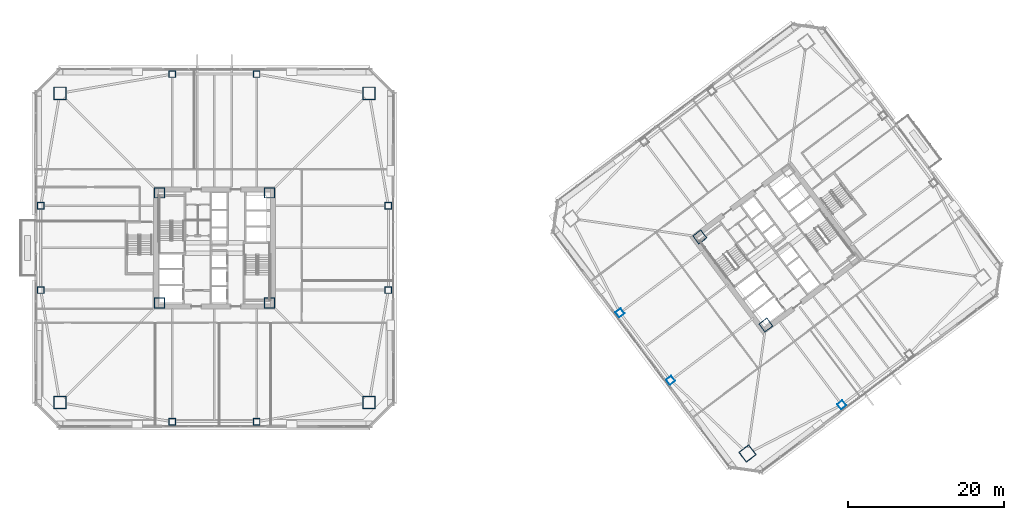
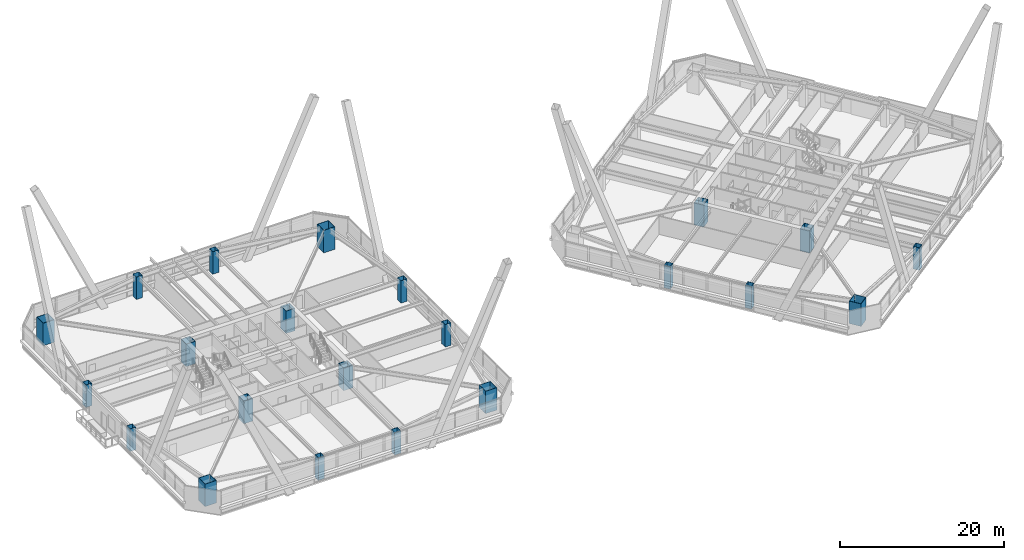
# One storey, part 1 of 75: 22 columns.
"""IFC4 building model written with IfcOpenShell, lengths in metres."""

from ifc_helpers import new_model, si_unit, direction, frame, origin, origin_2d, place, context, subcontext, project, spatial, hollow_rectangle, extrude, material, material_profile, profile_set, type_object, element, save


model = new_model("IFC4")

# Units and contexts
model_context = context("Model", 3, precision=1e-05, world=origin(), true_north=direction((0.0, 1.0)))
body_context = subcontext(model_context, "Body", "Model", "MODEL_VIEW")
ifc_project = project(units=[si_unit("LENGTHUNIT", "METRE"), si_unit("AREAUNIT", "SQUARE_METRE"), si_unit("VOLUMEUNIT", "CUBIC_METRE"), si_unit("PLANEANGLEUNIT", "RADIAN"), si_unit("MASSUNIT", "GRAM", prefix="KILO")], contexts=[model_context])

# Site, building, storey
site_placement = place(None, origin())
site = spatial("IfcSite", under=ifc_project, at=site_placement, CompositionType="ELEMENT")
building_placement = place(site_placement, origin())
building = spatial("IfcBuilding", under=site, at=building_placement, Name="Tashvorn Skyway Center", CompositionType="ELEMENT")
storey_placement = place(building_placement, frame((0.0, 0.0, 45.89990234375)))
storey = spatial("IfcBuildingStorey", under=building, at=storey_placement, Name="L11", CompositionType="ELEMENT", Elevation=45.89990234375)

# Columns
ifc_material = material(Name="Steel ASTM A572 Grade 50", Category="steel")
ifc_material_profile_1 = material_profile(ifc_material, hollow_rectangle(XDim=1.300048828125, YDim=1.300048828125, WallThickness=0.050048828125, at=origin_2d()), Name="BOX1300x1300x50")
ifc_profile_set_1 = profile_set([ifc_material_profile_1], Name="Steel ASTM A572 Grade 50")
column_type_1 = type_object("IfcColumnType", Name="COL-BOX1300x1300x50", PredefinedType="COLUMN", material=ifc_profile_set_1)
for number, where, z_axis, x_axis, name in (
    (1, (34.949951171875, 24.949951171875, 0.0), (0.0, 0.0, 1.0), (1.0, 0.0, 0.0), "Tower 1 L11 Core Corner Column CC-SW"),
    (2, (49.050048828125, 24.949951171875, 0.0), (0.0, 0.0, 1.0), (1.0, 0.0, 0.0), "Tower 1 L11 Core Corner Column CC-SE"),
    (3, (49.050048828125, 39.050048828125, 0.0), (0.0, 0.0, 1.0), (1.0, 0.0, 0.0), "Tower 1 L11 Core Corner Column CC-NE"),
    (4, (34.949951171875, 39.050048828125, 0.0), (0.0, 0.0, 1.0), (1.0, 0.0, 0.0), "Tower 1 L11 Core Corner Column CC-NW"),
    (5, (112.590087890625, 22.1298828125, 0.0), (0.0, 0.0, 1.0), (0.799999996291, 0.600000004945, 0.0), "Tower 2 L11 Core Corner Column CC-SW"),
    (6, (104.1298828125, 33.409912109375, 0.0), (0.0, 0.0, 1.0), (0.799999996291, 0.600000004945, 0.0), "Tower 2 L11 Core Corner Column CC-NW"),
):
    element("IfcColumn", number, at=place(storey_placement, frame(where, z_axis=z_axis, x_axis=x_axis)), inside=storey, type_object=column_type_1, Name=name, PredefinedType="COLUMN", context=body_context, shape_type="SweptSolid", body=[
        extrude(hollow_rectangle(XDim=1.300048828125, YDim=1.300048828125, WallThickness=0.050048828125, at=origin_2d()), origin(), (0.0, 0.0, 1.0), 3.35009765625),
    ])
ifc_material_profile_2 = material_profile(ifc_material, hollow_rectangle(XDim=1.60009765625, YDim=1.60009765625, WallThickness=0.06005859375, at=origin_2d()), Name="BOX1600x1600x60")
ifc_profile_set_2 = profile_set([ifc_material_profile_2], Name="Steel ASTM A572 Grade 50")
column_type_2 = type_object("IfcColumnType", Name="COL-BOX1600x1600x60", PredefinedType="COLUMN", material=ifc_profile_set_2)
for number, where, z_axis, x_axis, name in (
    (7, (22.199951171875, 12.199951171875, 0.0), (0.0, 0.0, 1.0), (1.0, 0.0, 0.0), "Tower 1 L11 Mega-Column MC-SW"),
    (8, (61.800048828125, 12.199951171875, 0.0), (0.0, 0.0, 1.0), (1.0, 0.0, 0.0), "Tower 1 L11 Mega-Column MC-SE"),
    (9, (61.800048828125, 51.800048828125, 0.0), (0.0, 0.0, 1.0), (1.0, 0.0, 0.0), "Tower 1 L11 Mega-Column MC-NE"),
    (10, (22.199951171875, 51.800048828125, 0.0), (0.0, 0.0, 1.0), (1.0, 0.0, 0.0), "Tower 1 L11 Mega-Column MC-NW"),
    (11, (110.239990234375, 5.679931640625, 0.0), (0.0, 0.0, 1.0), (0.799999996291, 0.600000004945, 0.0), "Tower 2 L11 Mega-Column MC-SW"),
):
    element("IfcColumn", number, at=place(storey_placement, frame(where, z_axis=z_axis, x_axis=x_axis)), inside=storey, type_object=column_type_2, Name=name, PredefinedType="COLUMN", context=body_context, shape_type="SweptSolid", body=[
        extrude(hollow_rectangle(XDim=1.60009765625, YDim=1.60009765625, WallThickness=0.06005859375, at=origin_2d()), origin(), (0.0, 0.0, 1.0), 3.35009765625),
    ])
ifc_material_profile_3 = material_profile(ifc_material, hollow_rectangle(XDim=0.85009765625, YDim=0.85009765625, WallThickness=0.034912109375, at=origin_2d()), Name="BOX850x850x35")
ifc_profile_set_3 = profile_set([ifc_material_profile_3], Name="Steel ASTM A572 Grade 50")
column_type_3 = type_object("IfcColumnType", Name="COL-BOX850x850x35", PredefinedType="COLUMN", material=ifc_profile_set_3)
for number, where, z_axis, x_axis, name in (
    (12, (36.60009765625, 9.75, 0.0), (0.0, 0.0, 1.0), (1.0, 0.0, 0.0), "Tower 1 L11 Perimeter Column FC-S1"),
    (13, (47.39990234375, 9.75, 0.0), (0.0, 0.0, 1.0), (1.0, 0.0, 0.0), "Tower 1 L11 Perimeter Column FC-S2"),
    (14, (64.25, 26.60009765625, 0.0), (0.0, 0.0, 1.0), (1.0, 0.0, 0.0), "Tower 1 L11 Perimeter Column FC-E1"),
    (15, (64.25, 37.39990234375, 0.0), (0.0, 0.0, 1.0), (1.0, 0.0, 0.0), "Tower 1 L11 Perimeter Column FC-E2"),
    (16, (47.39990234375, 54.25, 0.0), (0.0, 0.0, 1.0), (1.0, 0.0, 0.0), "Tower 1 L11 Perimeter Column FC-N1"),
    (17, (36.60009765625, 54.25, 0.0), (0.0, 0.0, 1.0), (1.0, 0.0, 0.0), "Tower 1 L11 Perimeter Column FC-N2"),
    (18, (19.75, 37.39990234375, 0.0), (0.0, 0.0, 1.0), (1.0, 0.0, 0.0), "Tower 1 L11 Perimeter Column FC-W1"),
    (19, (19.75, 26.60009765625, 0.0), (0.0, 0.0, 1.0), (1.0, 0.0, 0.0), "Tower 1 L11 Perimeter Column FC-W2"),
    (20, (122.31005859375, 11.919921875, 0.0), (0.0, 0.0, 1.0), (0.799999996291, 0.600000004945, 0.0), "Tower 2 L11 Perimeter Column FC-S1"),
    (21, (93.919921875, 23.68994140625, 0.0), (0.0, 0.0, 1.0), (0.799999996291, 0.600000004945, 0.0), "Tower 2 L11 Perimeter Column FC-W1"),
    (22, (100.39990234375, 15.050048828125, 0.0), (0.0, 0.0, 1.0), (0.799999996291, 0.600000004945, 0.0), "Tower 2 L11 Perimeter Column FC-W2"),
):
    element("IfcColumn", number, at=place(storey_placement, frame(where, z_axis=z_axis, x_axis=x_axis)), inside=storey, type_object=column_type_3, Name=name, PredefinedType="COLUMN", context=body_context, shape_type="SweptSolid", body=[
        extrude(hollow_rectangle(XDim=0.85009765625, YDim=0.85009765625, WallThickness=0.034912109375, at=origin_2d()), origin(), (0.0, 0.0, 1.0), 3.35009765625),
    ])

save(model, "model.ifc")
